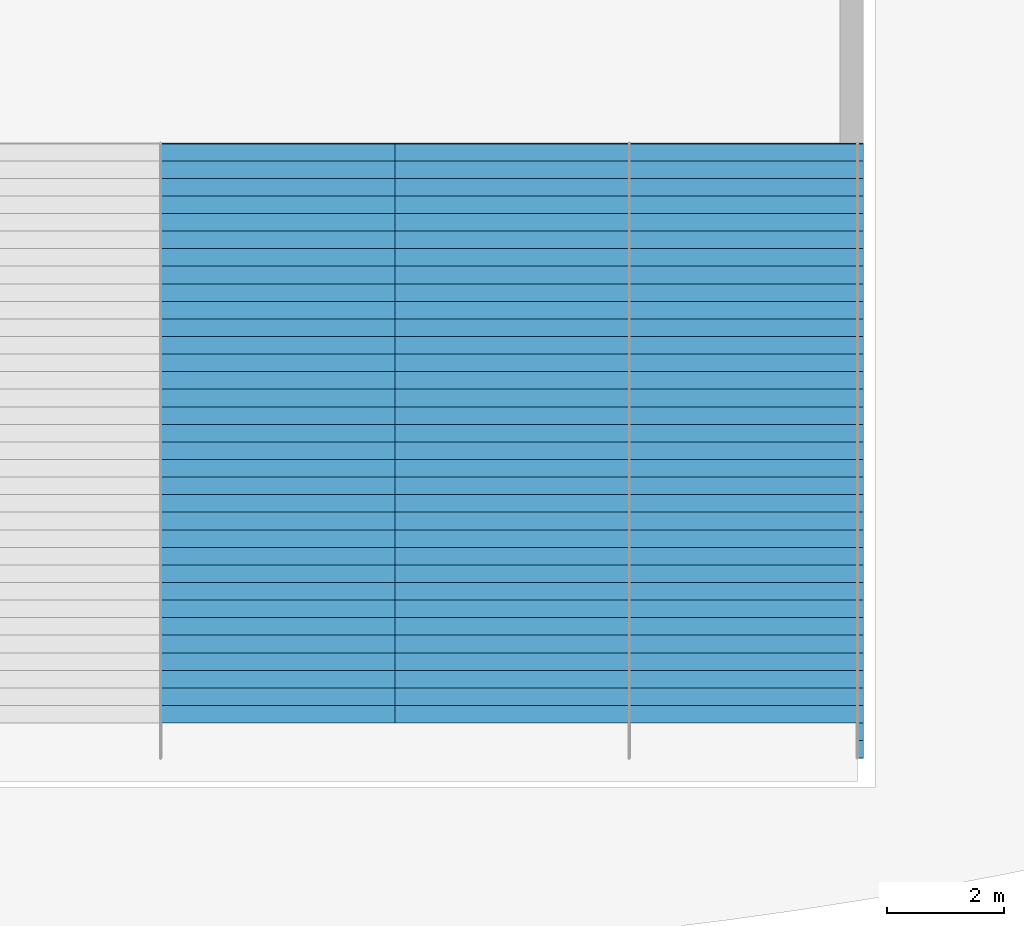
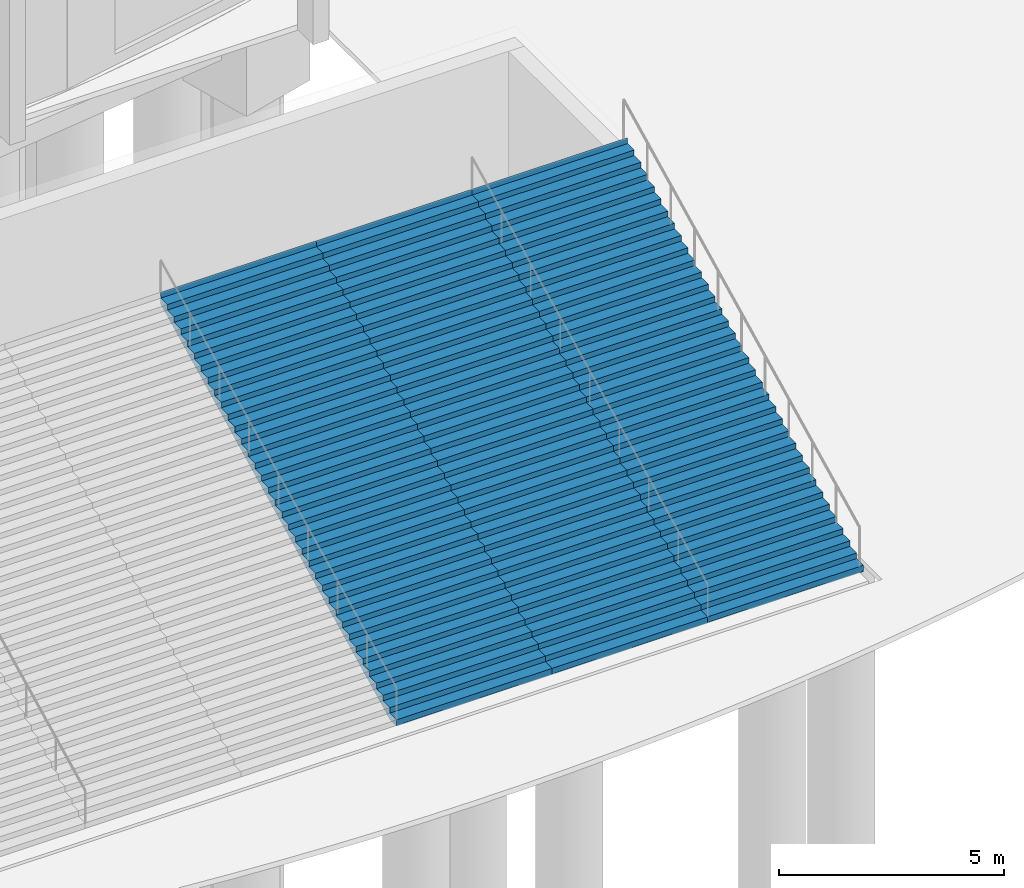
# One storey, part 29 of 41: 3 stair flights, 3 elements without a shape of their own.
"""IFC4 building model written with IfcOpenShell, lengths in metres."""

from ifc_helpers import new_model, si_unit, direction, frame, origin, place, context, subcontext, project, spatial, triangles, material, type_object, element, aggregate, save


model = new_model("IFC4")

# Units and contexts
model_context = context("Model", 3, precision=1e-05, world=origin(), true_north=direction((0.0, 1.0)))
body_context = subcontext(model_context, "Body", "Model", "MODEL_VIEW")
ifc_project = project(units=[si_unit("LENGTHUNIT", "METRE"), si_unit("AREAUNIT", "SQUARE_METRE"), si_unit("VOLUMEUNIT", "CUBIC_METRE"), si_unit("PLANEANGLEUNIT", "RADIAN"), si_unit("MASSUNIT", "GRAM", prefix="KILO")], contexts=[model_context])

# Site, building, storey
site_placement = place(None, origin())
site = spatial("IfcSite", under=ifc_project, at=site_placement, CompositionType="ELEMENT")
building_placement = place(site_placement, origin())
building = spatial("IfcBuilding", under=site, at=building_placement, Name="Maasbend Ring Residences", CompositionType="ELEMENT")
storey_placement = place(building_placement, origin())
storey = spatial("IfcBuildingStorey", under=building, at=storey_placement, Name="L00", CompositionType="ELEMENT", Elevation=0.0)

# Stair, stair flight
ifc_material_1 = material(Name="Concrete C35/45", Category="concrete")
stair_type = type_object("IfcStairType", Name="ST-BROAD", PredefinedType="STRAIGHT_RUN_STAIR", material=ifc_material_1)
stair_1_placement = place(storey_placement, origin())
stair_1 = element("IfcStair", 1, at=stair_1_placement, inside=storey, type_object=stair_type, Name="Broad stair lower flight D", PredefinedType="STRAIGHT_RUN_STAIR")
ifc_material_2 = material(Name="Concrete C35/45", Category="concrete")
stair_flight_type = type_object("IfcStairFlightType", Name="ST-BROAD-FL", PredefinedType="STRAIGHT", material=ifc_material_2)
stair_flight_1_placement = place(storey_placement, frame((2.0, -70.60009765625, 0.0), z_axis=(0.0, 0.0, 1.0), x_axis=(0.0, 1.0, 0.0)))
stair_flight_1 = element("IfcStairFlight", 2, at=stair_flight_1_placement, type_object=stair_flight_type, Name="ST-B flight 1", NumberOfRisers=36, NumberOfTreads=35, PredefinedType="STRAIGHT", RiserHeight=0.15, TreadLength=0.3, context=body_context, shape_type="Tessellation", body=[
    triangles([(0.298095703125, 2.0, -0.02001953125), (10.5029296875, 2.0, 5.08251953125), (10.5029296875, 2.0, 5.39990234375), (10.489990234375, 2.0, 5.25), (10.199951171875, 2.0, 5.25), (10.199951171875, 2.0, 5.10009765625), (9.89990234375, 2.0, 5.10009765625), (9.89990234375, 2.0, 4.949951171875), (9.60009765625, 2.0, 4.949951171875), (9.60009765625, 2.0, 4.800048828125), (9.300048828125, 2.0, 4.800048828125), (9.300048828125, 2.0, 4.64990234375), (9.0, 2.0, 4.64990234375), (9.0, 2.0, 4.5), (8.699951171875, 2.0, 4.5), (8.699951171875, 2.0, 4.35009765625), (8.39990234375, 2.0, 4.35009765625), (8.39990234375, 2.0, 4.199951171875), (8.10009765625, 2.0, 4.199951171875), (8.10009765625, 2.0, 4.050048828125), (7.800048828125, 2.0, 4.050048828125), (7.800048828125, 2.0, 3.89990234375), (7.5, 2.0, 3.89990234375), (7.5, 2.0, 3.75), (7.199951171875, 2.0, 3.75), (7.199951171875, 2.0, 3.60009765625), (6.89990234375, 2.0, 3.60009765625), (6.89990234375, 2.0, 3.449951171875), (6.60009765625, 2.0, 3.449951171875), (6.60009765625, 2.0, 3.300048828125), (6.300048828125, 2.0, 3.300048828125), (6.300048828125, 2.0, 3.14990234375), (6.0, 2.0, 3.14990234375), (6.0, 2.0, 3.0), (5.699951171875, 2.0, 3.0), (5.699951171875, 2.0, 2.85009765625), (5.39990234375, 2.0, 2.85009765625), (5.39990234375, 2.0, 2.699951171875), (5.10009765625, 2.0, 2.699951171875), (5.10009765625, 2.0, 2.550048828125), (4.800048828125, 2.0, 2.550048828125), (4.800048828125, 2.0, 2.39990234375), (4.5, 2.0, 2.39990234375), (4.5, 2.0, 2.25), (4.199951171875, 2.0, 2.25), (4.199951171875, 2.0, 2.10009765625), (3.89990234375, 2.0, 2.10009765625), (3.89990234375, 2.0, 1.949951171875), (3.60009765625, 2.0, 1.949951171875), (3.60009765625, 2.0, 1.800048828125), (3.300048828125, 2.0, 1.800048828125), (3.300048828125, 2.0, 1.64990234375), (3.0, 2.0, 1.64990234375), (3.0, 2.0, 1.5), (2.699951171875, 2.0, 1.5), (2.699951171875, 2.0, 1.35009765625), (2.39990234375, 2.0, 1.35009765625), (2.39990234375, 2.0, 1.199951171875), (2.10009765625, 2.0, 1.199951171875), (2.10009765625, 2.0, 1.050048828125), (1.800048828125, 2.0, 1.050048828125), (1.800048828125, 2.0, 0.89990234375), (1.5, 2.0, 0.89990234375), (1.5, 2.0, 0.75), (1.199951171875, 2.0, 0.75), (1.199951171875, 2.0, 0.60009765625), (0.89990234375, 2.0, 0.60009765625), (0.89990234375, 2.0, 0.449951171875), (0.60009765625, 2.0, 0.449951171875), (0.60009765625, 2.0, 0.300048828125), (0.300048828125, 2.0, 0.300048828125), (0.300048828125, 2.0, 0.14990234375), (0.0, 2.0, 0.14990234375), (0.0, 2.0, 0.0), (-0.0029296875, 2.0, 0.0), (-0.0029296875, 2.0, -0.02001953125), (0.298095703125, -2.0, -0.02001953125), (10.5029296875, -2.0, 5.08251953125), (10.5029296875, -2.0, 5.39990234375), (10.489990234375, -2.0, 5.25), (10.199951171875, -2.0, 5.25), (10.199951171875, -2.0, 5.10009765625), (9.89990234375, -2.0, 5.10009765625), (9.89990234375, -2.0, 4.949951171875), (9.60009765625, -2.0, 4.949951171875), (9.60009765625, -2.0, 4.800048828125), (9.300048828125, -2.0, 4.800048828125), (9.300048828125, -2.0, 4.64990234375), (9.0, -2.0, 4.64990234375), (9.0, -2.0, 4.5), (8.699951171875, -2.0, 4.5), (8.699951171875, -2.0, 4.35009765625), (8.39990234375, -2.0, 4.35009765625), (8.39990234375, -2.0, 4.199951171875), (8.10009765625, -2.0, 4.199951171875), (8.10009765625, -2.0, 4.050048828125), (7.800048828125, -2.0, 4.050048828125), (7.800048828125, -2.0, 3.89990234375), (7.5, -2.0, 3.89990234375), (7.5, -2.0, 3.75), (7.199951171875, -2.0, 3.75), (7.199951171875, -2.0, 3.60009765625), (6.89990234375, -2.0, 3.60009765625), (6.89990234375, -2.0, 3.449951171875), (6.60009765625, -2.0, 3.449951171875), (6.60009765625, -2.0, 3.300048828125), (6.300048828125, -2.0, 3.300048828125), (6.300048828125, -2.0, 3.14990234375), (6.0, -2.0, 3.14990234375), (6.0, -2.0, 3.0), (5.699951171875, -2.0, 3.0), (5.699951171875, -2.0, 2.85009765625), (5.39990234375, -2.0, 2.85009765625), (5.39990234375, -2.0, 2.699951171875), (5.10009765625, -2.0, 2.699951171875), (5.10009765625, -2.0, 2.550048828125), (4.800048828125, -2.0, 2.550048828125), (4.800048828125, -2.0, 2.39990234375), (4.5, -2.0, 2.39990234375), (4.5, -2.0, 2.25), (4.199951171875, -2.0, 2.25), (4.199951171875, -2.0, 2.10009765625), (3.89990234375, -2.0, 2.10009765625), (3.89990234375, -2.0, 1.949951171875), (3.60009765625, -2.0, 1.949951171875), (3.60009765625, -2.0, 1.800048828125), (3.300048828125, -2.0, 1.800048828125), (3.300048828125, -2.0, 1.64990234375), (3.0, -2.0, 1.64990234375), (3.0, -2.0, 1.5), (2.699951171875, -2.0, 1.5), (2.699951171875, -2.0, 1.35009765625), (2.39990234375, -2.0, 1.35009765625), (2.39990234375, -2.0, 1.199951171875), (2.10009765625, -2.0, 1.199951171875), (2.10009765625, -2.0, 1.050048828125), (1.800048828125, -2.0, 1.050048828125), (1.800048828125, -2.0, 0.89990234375), (1.5, -2.0, 0.89990234375), (1.5, -2.0, 0.75), (1.199951171875, -2.0, 0.75), (1.199951171875, -2.0, 0.60009765625), (0.89990234375, -2.0, 0.60009765625), (0.89990234375, -2.0, 0.449951171875), (0.60009765625, -2.0, 0.449951171875), (0.60009765625, -2.0, 0.300048828125), (0.300048828125, -2.0, 0.300048828125), (0.300048828125, -2.0, 0.14990234375), (0.0, -2.0, 0.14990234375), (0.0, -2.0, 0.0), (-0.0029296875, -2.0, 0.0), (-0.0029296875, -2.0, -0.02001953125)], [[1, 2, 78], [1, 78, 77], [2, 3, 79], [2, 79, 78], [3, 4, 80], [3, 80, 79], [4, 5, 81], [4, 81, 80], [5, 6, 82], [5, 82, 81], [6, 7, 83], [6, 83, 82], [7, 8, 84], [7, 84, 83], [8, 9, 85], [8, 85, 84], [9, 10, 86], [9, 86, 85], [10, 11, 87], [10, 87, 86], [11, 12, 88], [11, 88, 87], [12, 13, 89], [12, 89, 88], [13, 14, 90], [13, 90, 89], [14, 15, 91], [14, 91, 90], [15, 16, 92], [15, 92, 91], [16, 17, 93], [16, 93, 92], [17, 18, 94], [17, 94, 93], [18, 19, 95], [18, 95, 94], [19, 20, 96], [19, 96, 95], [20, 21, 97], [20, 97, 96], [21, 22, 98], [21, 98, 97], [22, 23, 99], [22, 99, 98], [23, 24, 100], [23, 100, 99], [24, 25, 101], [24, 101, 100], [25, 26, 102], [25, 102, 101], [26, 27, 103], [26, 103, 102], [27, 28, 104], [27, 104, 103], [28, 29, 105], [28, 105, 104], [29, 30, 106], [29, 106, 105], [30, 31, 107], [30, 107, 106], [31, 32, 108], [31, 108, 107], [32, 33, 109], [32, 109, 108], [33, 34, 110], [33, 110, 109], [34, 35, 111], [34, 111, 110], [35, 36, 112], [35, 112, 111], [36, 37, 113], [36, 113, 112], [37, 38, 114], [37, 114, 113], [38, 39, 115], [38, 115, 114], [39, 40, 116], [39, 116, 115], [40, 41, 117], [40, 117, 116], [41, 42, 118], [41, 118, 117], [42, 43, 119], [42, 119, 118], [43, 44, 120], [43, 120, 119], [44, 45, 121], [44, 121, 120], [45, 46, 122], [45, 122, 121], [46, 47, 123], [46, 123, 122], [47, 48, 124], [47, 124, 123], [48, 49, 125], [48, 125, 124], [49, 50, 126], [49, 126, 125], [50, 51, 127], [50, 127, 126], [51, 52, 128], [51, 128, 127], [52, 53, 129], [52, 129, 128], [53, 54, 130], [53, 130, 129], [54, 55, 131], [54, 131, 130], [55, 56, 132], [55, 132, 131], [56, 57, 133], [56, 133, 132], [57, 58, 134], [57, 134, 133], [58, 59, 135], [58, 135, 134], [59, 60, 136], [59, 136, 135], [60, 61, 137], [60, 137, 136], [61, 62, 138], [61, 138, 137], [62, 63, 139], [62, 139, 138], [63, 64, 140], [63, 140, 139], [64, 65, 141], [64, 141, 140], [65, 66, 142], [65, 142, 141], [66, 67, 143], [66, 143, 142], [67, 68, 144], [67, 144, 143], [68, 69, 145], [68, 145, 144], [69, 70, 146], [69, 146, 145], [70, 71, 147], [70, 147, 146], [71, 72, 148], [71, 148, 147], [72, 73, 149], [72, 149, 148], [73, 74, 150], [73, 150, 149], [74, 75, 151], [74, 151, 150], [75, 76, 152], [75, 152, 151], [76, 1, 77], [76, 77, 152], [76, 2, 1], [2, 4, 3], [2, 5, 4], [2, 6, 5], [76, 6, 2], [6, 8, 7], [76, 8, 6], [8, 10, 9], [76, 10, 8], [10, 12, 11], [76, 12, 10], [12, 14, 13], [76, 14, 12], [14, 16, 15], [76, 16, 14], [16, 18, 17], [76, 18, 16], [18, 20, 19], [76, 20, 18], [20, 22, 21], [76, 22, 20], [22, 24, 23], [76, 24, 22], [24, 26, 25], [76, 26, 24], [26, 28, 27], [76, 28, 26], [28, 30, 29], [76, 30, 28], [30, 32, 31], [76, 32, 30], [32, 34, 33], [76, 34, 32], [34, 36, 35], [76, 36, 34], [36, 38, 37], [76, 38, 36], [38, 40, 39], [76, 40, 38], [40, 42, 41], [76, 42, 40], [42, 44, 43], [76, 44, 42], [44, 46, 45], [76, 46, 44], [46, 48, 47], [76, 48, 46], [48, 50, 49], [76, 50, 48], [50, 52, 51], [76, 52, 50], [52, 54, 53], [76, 54, 52], [54, 56, 55], [76, 56, 54], [56, 58, 57], [76, 58, 56], [58, 60, 59], [76, 60, 58], [60, 62, 61], [76, 62, 60], [62, 64, 63], [76, 64, 62], [64, 66, 65], [76, 66, 64], [66, 68, 67], [76, 68, 66], [68, 70, 69], [76, 70, 68], [70, 72, 71], [76, 72, 70], [72, 74, 73], [76, 74, 72], [74, 76, 75], [152, 77, 78], [78, 79, 80], [78, 80, 81], [78, 81, 82], [152, 78, 82], [82, 83, 84], [152, 82, 84], [84, 85, 86], [152, 84, 86], [86, 87, 88], [152, 86, 88], [88, 89, 90], [152, 88, 90], [90, 91, 92], [152, 90, 92], [92, 93, 94], [152, 92, 94], [94, 95, 96], [152, 94, 96], [96, 97, 98], [152, 96, 98], [98, 99, 100], [152, 98, 100], [100, 101, 102], [152, 100, 102], [102, 103, 104], [152, 102, 104], [104, 105, 106], [152, 104, 106], [106, 107, 108], [152, 106, 108], [108, 109, 110], [152, 108, 110], [110, 111, 112], [152, 110, 112], [112, 113, 114], [152, 112, 114], [114, 115, 116], [152, 114, 116], [116, 117, 118], [152, 116, 118], [118, 119, 120], [152, 118, 120], [120, 121, 122], [152, 120, 122], [122, 123, 124], [152, 122, 124], [124, 125, 126], [152, 124, 126], [126, 127, 128], [152, 126, 128], [128, 129, 130], [152, 128, 130], [130, 131, 132], [152, 130, 132], [132, 133, 134], [152, 132, 134], [134, 135, 136], [152, 134, 136], [136, 137, 138], [152, 136, 138], [138, 139, 140], [152, 138, 140], [140, 141, 142], [152, 140, 142], [142, 143, 144], [152, 142, 144], [144, 145, 146], [152, 144, 146], [146, 147, 148], [152, 146, 148], [148, 149, 150], [152, 148, 150], [150, 151, 152]], closed=True),
])
aggregate(stair_1, [stair_flight_1])

stair_2_placement = place(storey_placement, origin())
stair_2 = element("IfcStair", 3, at=stair_2_placement, inside=storey, type_object=stair_type, Name="Broad stair lower flight E", PredefinedType="STRAIGHT_RUN_STAIR")
stair_flight_2_placement = place(storey_placement, frame((6.0, -70.60009765625, 0.0), z_axis=(0.0, 0.0, 1.0), x_axis=(0.0, 1.0, 0.0)))
stair_flight_2 = element("IfcStairFlight", 4, at=stair_flight_2_placement, type_object=stair_flight_type, Name="ST-B flight 1", NumberOfRisers=36, NumberOfTreads=35, PredefinedType="STRAIGHT", RiserHeight=0.15, TreadLength=0.3, context=body_context, shape_type="Tessellation", body=[
    triangles([(0.298095703125, 2.0, -0.02001953125), (10.5029296875, 2.0, 5.08251953125), (10.5029296875, 2.0, 5.39990234375), (10.489990234375, 2.0, 5.25), (10.199951171875, 2.0, 5.25), (10.199951171875, 2.0, 5.10009765625), (9.89990234375, 2.0, 5.10009765625), (9.89990234375, 2.0, 4.949951171875), (9.60009765625, 2.0, 4.949951171875), (9.60009765625, 2.0, 4.800048828125), (9.300048828125, 2.0, 4.800048828125), (9.300048828125, 2.0, 4.64990234375), (9.0, 2.0, 4.64990234375), (9.0, 2.0, 4.5), (8.699951171875, 2.0, 4.5), (8.699951171875, 2.0, 4.35009765625), (8.39990234375, 2.0, 4.35009765625), (8.39990234375, 2.0, 4.199951171875), (8.10009765625, 2.0, 4.199951171875), (8.10009765625, 2.0, 4.050048828125), (7.800048828125, 2.0, 4.050048828125), (7.800048828125, 2.0, 3.89990234375), (7.5, 2.0, 3.89990234375), (7.5, 2.0, 3.75), (7.199951171875, 2.0, 3.75), (7.199951171875, 2.0, 3.60009765625), (6.89990234375, 2.0, 3.60009765625), (6.89990234375, 2.0, 3.449951171875), (6.60009765625, 2.0, 3.449951171875), (6.60009765625, 2.0, 3.300048828125), (6.300048828125, 2.0, 3.300048828125), (6.300048828125, 2.0, 3.14990234375), (6.0, 2.0, 3.14990234375), (6.0, 2.0, 3.0), (5.699951171875, 2.0, 3.0), (5.699951171875, 2.0, 2.85009765625), (5.39990234375, 2.0, 2.85009765625), (5.39990234375, 2.0, 2.699951171875), (5.10009765625, 2.0, 2.699951171875), (5.10009765625, 2.0, 2.550048828125), (4.800048828125, 2.0, 2.550048828125), (4.800048828125, 2.0, 2.39990234375), (4.5, 2.0, 2.39990234375), (4.5, 2.0, 2.25), (4.199951171875, 2.0, 2.25), (4.199951171875, 2.0, 2.10009765625), (3.89990234375, 2.0, 2.10009765625), (3.89990234375, 2.0, 1.949951171875), (3.60009765625, 2.0, 1.949951171875), (3.60009765625, 2.0, 1.800048828125), (3.300048828125, 2.0, 1.800048828125), (3.300048828125, 2.0, 1.64990234375), (3.0, 2.0, 1.64990234375), (3.0, 2.0, 1.5), (2.699951171875, 2.0, 1.5), (2.699951171875, 2.0, 1.35009765625), (2.39990234375, 2.0, 1.35009765625), (2.39990234375, 2.0, 1.199951171875), (2.10009765625, 2.0, 1.199951171875), (2.10009765625, 2.0, 1.050048828125), (1.800048828125, 2.0, 1.050048828125), (1.800048828125, 2.0, 0.89990234375), (1.5, 2.0, 0.89990234375), (1.5, 2.0, 0.75), (1.199951171875, 2.0, 0.75), (1.199951171875, 2.0, 0.60009765625), (0.89990234375, 2.0, 0.60009765625), (0.89990234375, 2.0, 0.449951171875), (0.60009765625, 2.0, 0.449951171875), (0.60009765625, 2.0, 0.300048828125), (0.300048828125, 2.0, 0.300048828125), (0.300048828125, 2.0, 0.14990234375), (0.0, 2.0, 0.14990234375), (0.0, 2.0, 0.0), (-0.0029296875, 2.0, 0.0), (-0.0029296875, 2.0, -0.02001953125), (0.298095703125, -2.0, -0.02001953125), (10.5029296875, -2.0, 5.08251953125), (10.5029296875, -2.0, 5.39990234375), (10.489990234375, -2.0, 5.25), (10.199951171875, -2.0, 5.25), (10.199951171875, -2.0, 5.10009765625), (9.89990234375, -2.0, 5.10009765625), (9.89990234375, -2.0, 4.949951171875), (9.60009765625, -2.0, 4.949951171875), (9.60009765625, -2.0, 4.800048828125), (9.300048828125, -2.0, 4.800048828125), (9.300048828125, -2.0, 4.64990234375), (9.0, -2.0, 4.64990234375), (9.0, -2.0, 4.5), (8.699951171875, -2.0, 4.5), (8.699951171875, -2.0, 4.35009765625), (8.39990234375, -2.0, 4.35009765625), (8.39990234375, -2.0, 4.199951171875), (8.10009765625, -2.0, 4.199951171875), (8.10009765625, -2.0, 4.050048828125), (7.800048828125, -2.0, 4.050048828125), (7.800048828125, -2.0, 3.89990234375), (7.5, -2.0, 3.89990234375), (7.5, -2.0, 3.75), (7.199951171875, -2.0, 3.75), (7.199951171875, -2.0, 3.60009765625), (6.89990234375, -2.0, 3.60009765625), (6.89990234375, -2.0, 3.449951171875), (6.60009765625, -2.0, 3.449951171875), (6.60009765625, -2.0, 3.300048828125), (6.300048828125, -2.0, 3.300048828125), (6.300048828125, -2.0, 3.14990234375), (6.0, -2.0, 3.14990234375), (6.0, -2.0, 3.0), (5.699951171875, -2.0, 3.0), (5.699951171875, -2.0, 2.85009765625), (5.39990234375, -2.0, 2.85009765625), (5.39990234375, -2.0, 2.699951171875), (5.10009765625, -2.0, 2.699951171875), (5.10009765625, -2.0, 2.550048828125), (4.800048828125, -2.0, 2.550048828125), (4.800048828125, -2.0, 2.39990234375), (4.5, -2.0, 2.39990234375), (4.5, -2.0, 2.25), (4.199951171875, -2.0, 2.25), (4.199951171875, -2.0, 2.10009765625), (3.89990234375, -2.0, 2.10009765625), (3.89990234375, -2.0, 1.949951171875), (3.60009765625, -2.0, 1.949951171875), (3.60009765625, -2.0, 1.800048828125), (3.300048828125, -2.0, 1.800048828125), (3.300048828125, -2.0, 1.64990234375), (3.0, -2.0, 1.64990234375), (3.0, -2.0, 1.5), (2.699951171875, -2.0, 1.5), (2.699951171875, -2.0, 1.35009765625), (2.39990234375, -2.0, 1.35009765625), (2.39990234375, -2.0, 1.199951171875), (2.10009765625, -2.0, 1.199951171875), (2.10009765625, -2.0, 1.050048828125), (1.800048828125, -2.0, 1.050048828125), (1.800048828125, -2.0, 0.89990234375), (1.5, -2.0, 0.89990234375), (1.5, -2.0, 0.75), (1.199951171875, -2.0, 0.75), (1.199951171875, -2.0, 0.60009765625), (0.89990234375, -2.0, 0.60009765625), (0.89990234375, -2.0, 0.449951171875), (0.60009765625, -2.0, 0.449951171875), (0.60009765625, -2.0, 0.300048828125), (0.300048828125, -2.0, 0.300048828125), (0.300048828125, -2.0, 0.14990234375), (0.0, -2.0, 0.14990234375), (0.0, -2.0, 0.0), (-0.0029296875, -2.0, 0.0), (-0.0029296875, -2.0, -0.02001953125)], [[1, 2, 78], [1, 78, 77], [2, 3, 79], [2, 79, 78], [3, 4, 80], [3, 80, 79], [4, 5, 81], [4, 81, 80], [5, 6, 82], [5, 82, 81], [6, 7, 83], [6, 83, 82], [7, 8, 84], [7, 84, 83], [8, 9, 85], [8, 85, 84], [9, 10, 86], [9, 86, 85], [10, 11, 87], [10, 87, 86], [11, 12, 88], [11, 88, 87], [12, 13, 89], [12, 89, 88], [13, 14, 90], [13, 90, 89], [14, 15, 91], [14, 91, 90], [15, 16, 92], [15, 92, 91], [16, 17, 93], [16, 93, 92], [17, 18, 94], [17, 94, 93], [18, 19, 95], [18, 95, 94], [19, 20, 96], [19, 96, 95], [20, 21, 97], [20, 97, 96], [21, 22, 98], [21, 98, 97], [22, 23, 99], [22, 99, 98], [23, 24, 100], [23, 100, 99], [24, 25, 101], [24, 101, 100], [25, 26, 102], [25, 102, 101], [26, 27, 103], [26, 103, 102], [27, 28, 104], [27, 104, 103], [28, 29, 105], [28, 105, 104], [29, 30, 106], [29, 106, 105], [30, 31, 107], [30, 107, 106], [31, 32, 108], [31, 108, 107], [32, 33, 109], [32, 109, 108], [33, 34, 110], [33, 110, 109], [34, 35, 111], [34, 111, 110], [35, 36, 112], [35, 112, 111], [36, 37, 113], [36, 113, 112], [37, 38, 114], [37, 114, 113], [38, 39, 115], [38, 115, 114], [39, 40, 116], [39, 116, 115], [40, 41, 117], [40, 117, 116], [41, 42, 118], [41, 118, 117], [42, 43, 119], [42, 119, 118], [43, 44, 120], [43, 120, 119], [44, 45, 121], [44, 121, 120], [45, 46, 122], [45, 122, 121], [46, 47, 123], [46, 123, 122], [47, 48, 124], [47, 124, 123], [48, 49, 125], [48, 125, 124], [49, 50, 126], [49, 126, 125], [50, 51, 127], [50, 127, 126], [51, 52, 128], [51, 128, 127], [52, 53, 129], [52, 129, 128], [53, 54, 130], [53, 130, 129], [54, 55, 131], [54, 131, 130], [55, 56, 132], [55, 132, 131], [56, 57, 133], [56, 133, 132], [57, 58, 134], [57, 134, 133], [58, 59, 135], [58, 135, 134], [59, 60, 136], [59, 136, 135], [60, 61, 137], [60, 137, 136], [61, 62, 138], [61, 138, 137], [62, 63, 139], [62, 139, 138], [63, 64, 140], [63, 140, 139], [64, 65, 141], [64, 141, 140], [65, 66, 142], [65, 142, 141], [66, 67, 143], [66, 143, 142], [67, 68, 144], [67, 144, 143], [68, 69, 145], [68, 145, 144], [69, 70, 146], [69, 146, 145], [70, 71, 147], [70, 147, 146], [71, 72, 148], [71, 148, 147], [72, 73, 149], [72, 149, 148], [73, 74, 150], [73, 150, 149], [74, 75, 151], [74, 151, 150], [75, 76, 152], [75, 152, 151], [76, 1, 77], [76, 77, 152], [76, 2, 1], [2, 4, 3], [2, 5, 4], [2, 6, 5], [76, 6, 2], [6, 8, 7], [76, 8, 6], [8, 10, 9], [76, 10, 8], [10, 12, 11], [76, 12, 10], [12, 14, 13], [76, 14, 12], [14, 16, 15], [76, 16, 14], [16, 18, 17], [76, 18, 16], [18, 20, 19], [76, 20, 18], [20, 22, 21], [76, 22, 20], [22, 24, 23], [76, 24, 22], [24, 26, 25], [76, 26, 24], [26, 28, 27], [76, 28, 26], [28, 30, 29], [76, 30, 28], [30, 32, 31], [76, 32, 30], [32, 34, 33], [76, 34, 32], [34, 36, 35], [76, 36, 34], [36, 38, 37], [76, 38, 36], [38, 40, 39], [76, 40, 38], [40, 42, 41], [76, 42, 40], [42, 44, 43], [76, 44, 42], [44, 46, 45], [76, 46, 44], [46, 48, 47], [76, 48, 46], [48, 50, 49], [76, 50, 48], [50, 52, 51], [76, 52, 50], [52, 54, 53], [76, 54, 52], [54, 56, 55], [76, 56, 54], [56, 58, 57], [76, 58, 56], [58, 60, 59], [76, 60, 58], [60, 62, 61], [76, 62, 60], [62, 64, 63], [76, 64, 62], [64, 66, 65], [76, 66, 64], [66, 68, 67], [76, 68, 66], [68, 70, 69], [76, 70, 68], [70, 72, 71], [76, 72, 70], [72, 74, 73], [76, 74, 72], [74, 76, 75], [152, 77, 78], [78, 79, 80], [78, 80, 81], [78, 81, 82], [152, 78, 82], [82, 83, 84], [152, 82, 84], [84, 85, 86], [152, 84, 86], [86, 87, 88], [152, 86, 88], [88, 89, 90], [152, 88, 90], [90, 91, 92], [152, 90, 92], [92, 93, 94], [152, 92, 94], [94, 95, 96], [152, 94, 96], [96, 97, 98], [152, 96, 98], [98, 99, 100], [152, 98, 100], [100, 101, 102], [152, 100, 102], [102, 103, 104], [152, 102, 104], [104, 105, 106], [152, 104, 106], [106, 107, 108], [152, 106, 108], [108, 109, 110], [152, 108, 110], [110, 111, 112], [152, 110, 112], [112, 113, 114], [152, 112, 114], [114, 115, 116], [152, 114, 116], [116, 117, 118], [152, 116, 118], [118, 119, 120], [152, 118, 120], [120, 121, 122], [152, 120, 122], [122, 123, 124], [152, 122, 124], [124, 125, 126], [152, 124, 126], [126, 127, 128], [152, 126, 128], [128, 129, 130], [152, 128, 130], [130, 131, 132], [152, 130, 132], [132, 133, 134], [152, 132, 134], [134, 135, 136], [152, 134, 136], [136, 137, 138], [152, 136, 138], [138, 139, 140], [152, 138, 140], [140, 141, 142], [152, 140, 142], [142, 143, 144], [152, 142, 144], [144, 145, 146], [152, 144, 146], [146, 147, 148], [152, 146, 148], [148, 149, 150], [152, 148, 150], [150, 151, 152]], closed=True),
])
aggregate(stair_2, [stair_flight_2])

stair_3_placement = place(storey_placement, origin())
stair_3 = element("IfcStair", 5, at=stair_3_placement, inside=storey, type_object=stair_type, Name="Broad stair lower flight F", PredefinedType="STRAIGHT_RUN_STAIR")
stair_flight_3_placement = place(storey_placement, frame((10.0, -70.60009765625, 0.0), z_axis=(0.0, 0.0, 1.0), x_axis=(0.0, 1.0, 0.0)))
stair_flight_3 = element("IfcStairFlight", 6, at=stair_flight_3_placement, type_object=stair_flight_type, Name="ST-B flight 1", NumberOfRisers=36, NumberOfTreads=35, PredefinedType="STRAIGHT", RiserHeight=0.15, TreadLength=0.3, context=body_context, shape_type="Tessellation", body=[
    triangles([(0.298095703125, 2.0, -0.02001953125), (10.5029296875, 2.0, 5.08251953125), (10.5029296875, 2.0, 5.39990234375), (10.489990234375, 2.0, 5.25), (10.199951171875, 2.0, 5.25), (10.199951171875, 2.0, 5.10009765625), (9.89990234375, 2.0, 5.10009765625), (9.89990234375, 2.0, 4.949951171875), (9.60009765625, 2.0, 4.949951171875), (9.60009765625, 2.0, 4.800048828125), (9.300048828125, 2.0, 4.800048828125), (9.300048828125, 2.0, 4.64990234375), (9.0, 2.0, 4.64990234375), (9.0, 2.0, 4.5), (8.699951171875, 2.0, 4.5), (8.699951171875, 2.0, 4.35009765625), (8.39990234375, 2.0, 4.35009765625), (8.39990234375, 2.0, 4.199951171875), (8.10009765625, 2.0, 4.199951171875), (8.10009765625, 2.0, 4.050048828125), (7.800048828125, 2.0, 4.050048828125), (7.800048828125, 2.0, 3.89990234375), (7.5, 2.0, 3.89990234375), (7.5, 2.0, 3.75), (7.199951171875, 2.0, 3.75), (7.199951171875, 2.0, 3.60009765625), (6.89990234375, 2.0, 3.60009765625), (6.89990234375, 2.0, 3.449951171875), (6.60009765625, 2.0, 3.449951171875), (6.60009765625, 2.0, 3.300048828125), (6.300048828125, 2.0, 3.300048828125), (6.300048828125, 2.0, 3.14990234375), (6.0, 2.0, 3.14990234375), (6.0, 2.0, 3.0), (5.699951171875, 2.0, 3.0), (5.699951171875, 2.0, 2.85009765625), (5.39990234375, 2.0, 2.85009765625), (5.39990234375, 2.0, 2.699951171875), (5.10009765625, 2.0, 2.699951171875), (5.10009765625, 2.0, 2.550048828125), (4.800048828125, 2.0, 2.550048828125), (4.800048828125, 2.0, 2.39990234375), (4.5, 2.0, 2.39990234375), (4.5, 2.0, 2.25), (4.199951171875, 2.0, 2.25), (4.199951171875, 2.0, 2.10009765625), (3.89990234375, 2.0, 2.10009765625), (3.89990234375, 2.0, 1.949951171875), (3.60009765625, 2.0, 1.949951171875), (3.60009765625, 2.0, 1.800048828125), (3.300048828125, 2.0, 1.800048828125), (3.300048828125, 2.0, 1.64990234375), (3.0, 2.0, 1.64990234375), (3.0, 2.0, 1.5), (2.699951171875, 2.0, 1.5), (2.699951171875, 2.0, 1.35009765625), (2.39990234375, 2.0, 1.35009765625), (2.39990234375, 2.0, 1.199951171875), (2.10009765625, 2.0, 1.199951171875), (2.10009765625, 2.0, 1.050048828125), (1.800048828125, 2.0, 1.050048828125), (1.800048828125, 2.0, 0.89990234375), (1.5, 2.0, 0.89990234375), (1.5, 2.0, 0.75), (1.199951171875, 2.0, 0.75), (1.199951171875, 2.0, 0.60009765625), (0.89990234375, 2.0, 0.60009765625), (0.89990234375, 2.0, 0.449951171875), (0.60009765625, 2.0, 0.449951171875), (0.60009765625, 2.0, 0.300048828125), (0.300048828125, 2.0, 0.300048828125), (0.300048828125, 2.0, 0.14990234375), (0.0, 2.0, 0.14990234375), (0.0, 2.0, 0.0), (-0.0029296875, 2.0, 0.0), (-0.0029296875, 2.0, -0.02001953125), (0.298095703125, -2.0, -0.02001953125), (10.5029296875, -2.0, 5.08251953125), (10.5029296875, -2.0, 5.39990234375), (10.489990234375, -2.0, 5.25), (10.199951171875, -2.0, 5.25), (10.199951171875, -2.0, 5.10009765625), (9.89990234375, -2.0, 5.10009765625), (9.89990234375, -2.0, 4.949951171875), (9.60009765625, -2.0, 4.949951171875), (9.60009765625, -2.0, 4.800048828125), (9.300048828125, -2.0, 4.800048828125), (9.300048828125, -2.0, 4.64990234375), (9.0, -2.0, 4.64990234375), (9.0, -2.0, 4.5), (8.699951171875, -2.0, 4.5), (8.699951171875, -2.0, 4.35009765625), (8.39990234375, -2.0, 4.35009765625), (8.39990234375, -2.0, 4.199951171875), (8.10009765625, -2.0, 4.199951171875), (8.10009765625, -2.0, 4.050048828125), (7.800048828125, -2.0, 4.050048828125), (7.800048828125, -2.0, 3.89990234375), (7.5, -2.0, 3.89990234375), (7.5, -2.0, 3.75), (7.199951171875, -2.0, 3.75), (7.199951171875, -2.0, 3.60009765625), (6.89990234375, -2.0, 3.60009765625), (6.89990234375, -2.0, 3.449951171875), (6.60009765625, -2.0, 3.449951171875), (6.60009765625, -2.0, 3.300048828125), (6.300048828125, -2.0, 3.300048828125), (6.300048828125, -2.0, 3.14990234375), (6.0, -2.0, 3.14990234375), (6.0, -2.0, 3.0), (5.699951171875, -2.0, 3.0), (5.699951171875, -2.0, 2.85009765625), (5.39990234375, -2.0, 2.85009765625), (5.39990234375, -2.0, 2.699951171875), (5.10009765625, -2.0, 2.699951171875), (5.10009765625, -2.0, 2.550048828125), (4.800048828125, -2.0, 2.550048828125), (4.800048828125, -2.0, 2.39990234375), (4.5, -2.0, 2.39990234375), (4.5, -2.0, 2.25), (4.199951171875, -2.0, 2.25), (4.199951171875, -2.0, 2.10009765625), (3.89990234375, -2.0, 2.10009765625), (3.89990234375, -2.0, 1.949951171875), (3.60009765625, -2.0, 1.949951171875), (3.60009765625, -2.0, 1.800048828125), (3.300048828125, -2.0, 1.800048828125), (3.300048828125, -2.0, 1.64990234375), (3.0, -2.0, 1.64990234375), (3.0, -2.0, 1.5), (2.699951171875, -2.0, 1.5), (2.699951171875, -2.0, 1.35009765625), (2.39990234375, -2.0, 1.35009765625), (2.39990234375, -2.0, 1.199951171875), (2.10009765625, -2.0, 1.199951171875), (2.10009765625, -2.0, 1.050048828125), (1.800048828125, -2.0, 1.050048828125), (1.800048828125, -2.0, 0.89990234375), (1.5, -2.0, 0.89990234375), (1.5, -2.0, 0.75), (1.199951171875, -2.0, 0.75), (1.199951171875, -2.0, 0.60009765625), (0.89990234375, -2.0, 0.60009765625), (0.89990234375, -2.0, 0.449951171875), (0.60009765625, -2.0, 0.449951171875), (0.60009765625, -2.0, 0.300048828125), (0.300048828125, -2.0, 0.300048828125), (0.300048828125, -2.0, 0.14990234375), (0.0, -2.0, 0.14990234375), (0.0, -2.0, 0.0), (-0.0029296875, -2.0, 0.0), (-0.0029296875, -2.0, -0.02001953125)], [[1, 2, 78], [1, 78, 77], [2, 3, 79], [2, 79, 78], [3, 4, 80], [3, 80, 79], [4, 5, 81], [4, 81, 80], [5, 6, 82], [5, 82, 81], [6, 7, 83], [6, 83, 82], [7, 8, 84], [7, 84, 83], [8, 9, 85], [8, 85, 84], [9, 10, 86], [9, 86, 85], [10, 11, 87], [10, 87, 86], [11, 12, 88], [11, 88, 87], [12, 13, 89], [12, 89, 88], [13, 14, 90], [13, 90, 89], [14, 15, 91], [14, 91, 90], [15, 16, 92], [15, 92, 91], [16, 17, 93], [16, 93, 92], [17, 18, 94], [17, 94, 93], [18, 19, 95], [18, 95, 94], [19, 20, 96], [19, 96, 95], [20, 21, 97], [20, 97, 96], [21, 22, 98], [21, 98, 97], [22, 23, 99], [22, 99, 98], [23, 24, 100], [23, 100, 99], [24, 25, 101], [24, 101, 100], [25, 26, 102], [25, 102, 101], [26, 27, 103], [26, 103, 102], [27, 28, 104], [27, 104, 103], [28, 29, 105], [28, 105, 104], [29, 30, 106], [29, 106, 105], [30, 31, 107], [30, 107, 106], [31, 32, 108], [31, 108, 107], [32, 33, 109], [32, 109, 108], [33, 34, 110], [33, 110, 109], [34, 35, 111], [34, 111, 110], [35, 36, 112], [35, 112, 111], [36, 37, 113], [36, 113, 112], [37, 38, 114], [37, 114, 113], [38, 39, 115], [38, 115, 114], [39, 40, 116], [39, 116, 115], [40, 41, 117], [40, 117, 116], [41, 42, 118], [41, 118, 117], [42, 43, 119], [42, 119, 118], [43, 44, 120], [43, 120, 119], [44, 45, 121], [44, 121, 120], [45, 46, 122], [45, 122, 121], [46, 47, 123], [46, 123, 122], [47, 48, 124], [47, 124, 123], [48, 49, 125], [48, 125, 124], [49, 50, 126], [49, 126, 125], [50, 51, 127], [50, 127, 126], [51, 52, 128], [51, 128, 127], [52, 53, 129], [52, 129, 128], [53, 54, 130], [53, 130, 129], [54, 55, 131], [54, 131, 130], [55, 56, 132], [55, 132, 131], [56, 57, 133], [56, 133, 132], [57, 58, 134], [57, 134, 133], [58, 59, 135], [58, 135, 134], [59, 60, 136], [59, 136, 135], [60, 61, 137], [60, 137, 136], [61, 62, 138], [61, 138, 137], [62, 63, 139], [62, 139, 138], [63, 64, 140], [63, 140, 139], [64, 65, 141], [64, 141, 140], [65, 66, 142], [65, 142, 141], [66, 67, 143], [66, 143, 142], [67, 68, 144], [67, 144, 143], [68, 69, 145], [68, 145, 144], [69, 70, 146], [69, 146, 145], [70, 71, 147], [70, 147, 146], [71, 72, 148], [71, 148, 147], [72, 73, 149], [72, 149, 148], [73, 74, 150], [73, 150, 149], [74, 75, 151], [74, 151, 150], [75, 76, 152], [75, 152, 151], [76, 1, 77], [76, 77, 152], [76, 2, 1], [2, 4, 3], [2, 5, 4], [2, 6, 5], [76, 6, 2], [6, 8, 7], [76, 8, 6], [8, 10, 9], [76, 10, 8], [10, 12, 11], [76, 12, 10], [12, 14, 13], [76, 14, 12], [14, 16, 15], [76, 16, 14], [16, 18, 17], [76, 18, 16], [18, 20, 19], [76, 20, 18], [20, 22, 21], [76, 22, 20], [22, 24, 23], [76, 24, 22], [24, 26, 25], [76, 26, 24], [26, 28, 27], [76, 28, 26], [28, 30, 29], [76, 30, 28], [30, 32, 31], [76, 32, 30], [32, 34, 33], [76, 34, 32], [34, 36, 35], [76, 36, 34], [36, 38, 37], [76, 38, 36], [38, 40, 39], [76, 40, 38], [40, 42, 41], [76, 42, 40], [42, 44, 43], [76, 44, 42], [44, 46, 45], [76, 46, 44], [46, 48, 47], [76, 48, 46], [48, 50, 49], [76, 50, 48], [50, 52, 51], [76, 52, 50], [52, 54, 53], [76, 54, 52], [54, 56, 55], [76, 56, 54], [56, 58, 57], [76, 58, 56], [58, 60, 59], [76, 60, 58], [60, 62, 61], [76, 62, 60], [62, 64, 63], [76, 64, 62], [64, 66, 65], [76, 66, 64], [66, 68, 67], [76, 68, 66], [68, 70, 69], [76, 70, 68], [70, 72, 71], [76, 72, 70], [72, 74, 73], [76, 74, 72], [74, 76, 75], [152, 77, 78], [78, 79, 80], [78, 80, 81], [78, 81, 82], [152, 78, 82], [82, 83, 84], [152, 82, 84], [84, 85, 86], [152, 84, 86], [86, 87, 88], [152, 86, 88], [88, 89, 90], [152, 88, 90], [90, 91, 92], [152, 90, 92], [92, 93, 94], [152, 92, 94], [94, 95, 96], [152, 94, 96], [96, 97, 98], [152, 96, 98], [98, 99, 100], [152, 98, 100], [100, 101, 102], [152, 100, 102], [102, 103, 104], [152, 102, 104], [104, 105, 106], [152, 104, 106], [106, 107, 108], [152, 106, 108], [108, 109, 110], [152, 108, 110], [110, 111, 112], [152, 110, 112], [112, 113, 114], [152, 112, 114], [114, 115, 116], [152, 114, 116], [116, 117, 118], [152, 116, 118], [118, 119, 120], [152, 118, 120], [120, 121, 122], [152, 120, 122], [122, 123, 124], [152, 122, 124], [124, 125, 126], [152, 124, 126], [126, 127, 128], [152, 126, 128], [128, 129, 130], [152, 128, 130], [130, 131, 132], [152, 130, 132], [132, 133, 134], [152, 132, 134], [134, 135, 136], [152, 134, 136], [136, 137, 138], [152, 136, 138], [138, 139, 140], [152, 138, 140], [140, 141, 142], [152, 140, 142], [142, 143, 144], [152, 142, 144], [144, 145, 146], [152, 144, 146], [146, 147, 148], [152, 146, 148], [148, 149, 150], [152, 148, 150], [150, 151, 152]], closed=True),
])
aggregate(stair_3, [stair_flight_3])

save(model, "model.ifc")
